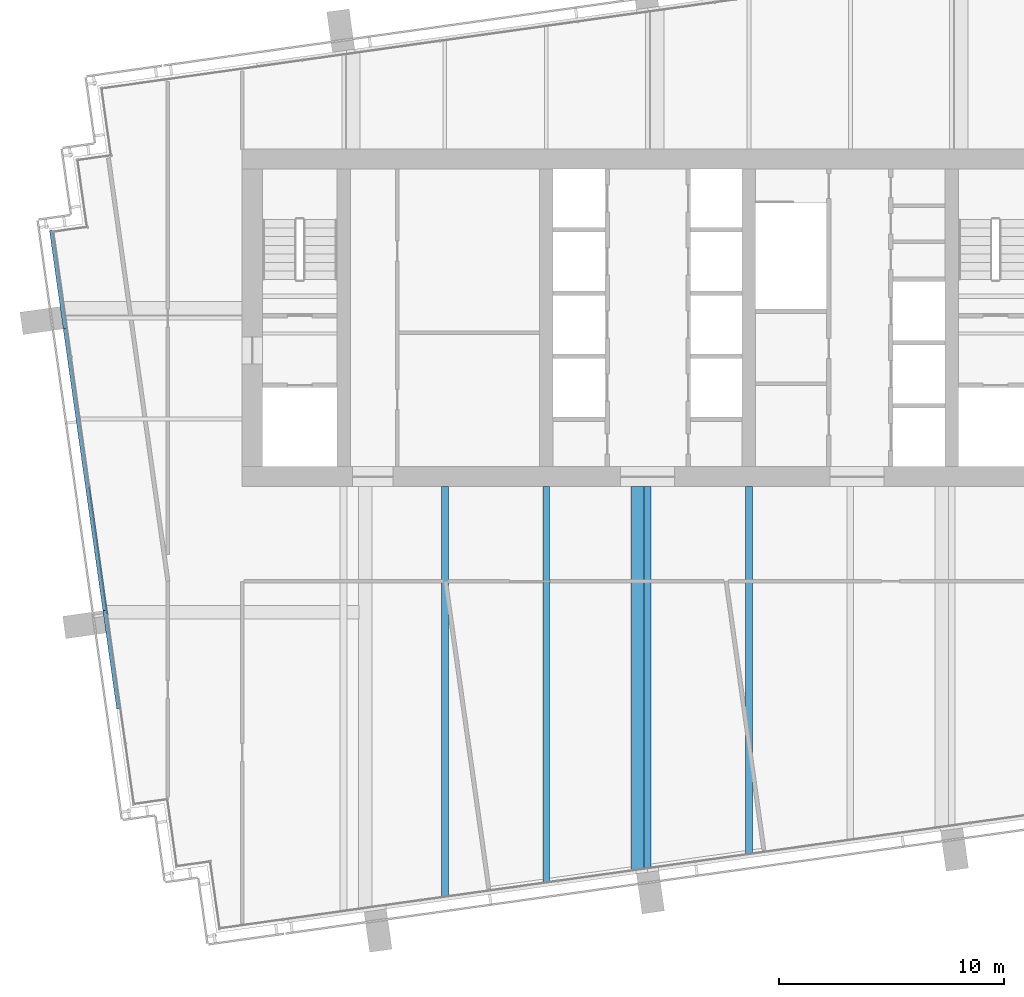
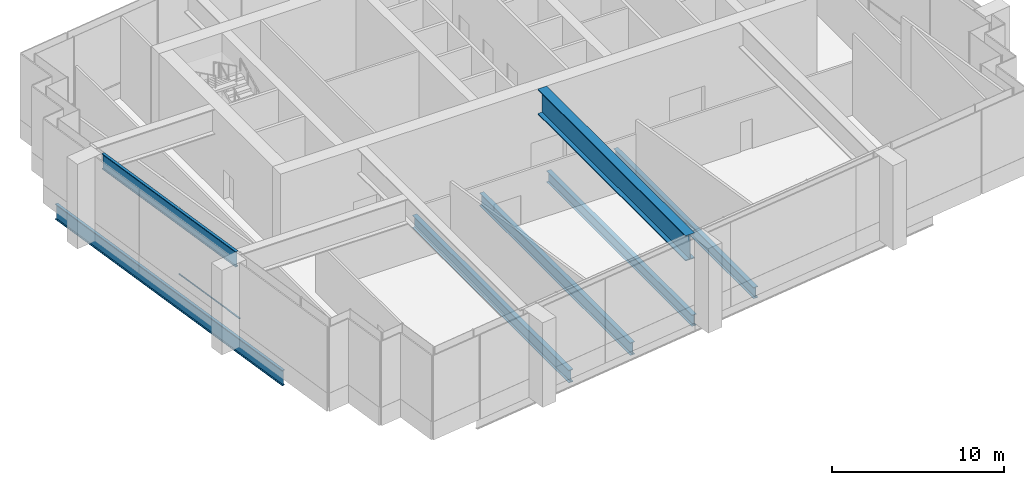
# One storey, part 4 of 25: 7 beams, 1 member, 1 element without a shape of its own.
"""IFC4 building model written with IfcOpenShell, lengths in metres."""

from ifc_helpers import new_model, si_unit, direction, frame, origin, origin_2d, place, context, subcontext, project, spatial, rectangle, i_section, extrude, material, layer, layer_set, material_profile, profile_set, type_object, element, aggregate, save


model = new_model("IFC4")

# Units and contexts
model_context = context("Model", 3, precision=1e-05, world=origin(), true_north=direction((0.0, 1.0)))
body_context = subcontext(model_context, "Body", "Model", "MODEL_VIEW")
ifc_project = project(units=[si_unit("LENGTHUNIT", "METRE"), si_unit("AREAUNIT", "SQUARE_METRE"), si_unit("VOLUMEUNIT", "CUBIC_METRE"), si_unit("PLANEANGLEUNIT", "RADIAN"), si_unit("MASSUNIT", "GRAM", prefix="KILO")], contexts=[model_context])

# Site, building, storey
site_placement = place(None, origin())
site = spatial("IfcSite", under=ifc_project, at=site_placement, CompositionType="ELEMENT")
building_placement = place(site_placement, origin())
building = spatial("IfcBuilding", under=site, at=building_placement, Name="Rattan Terrace Tower", CompositionType="ELEMENT")
storey_placement = place(building_placement, frame((0.0, 0.0, 286.300048828125)))
storey = spatial("IfcBuildingStorey", under=building, at=storey_placement, Name="L66", CompositionType="ELEMENT", Elevation=286.300048828125)

# Beams
ifc_material_1 = material(Name="Steel S460", Category="steel")
ifc_material_profile_1 = material_profile(ifc_material_1, i_section(OverallWidth=0.179931640625, OverallDepth=1.10009765625, WebThickness=0.01611328125, FlangeThickness=0.050048828125, at=origin_2d()), Name="PG 1100x180-16-50")
ifc_profile_set_1 = profile_set([ifc_material_profile_1], Name="Steel S460")
beam_type_1 = type_object("IfcBeamType", Name="Frame edge girder PG 1100x180-16-50", PredefinedType="SPANDREL", material=ifc_profile_set_1)
beam_1_placement = place(storey_placement, frame((-23.485107421875, -17.347900390625, -0.75), z_axis=(-0.139189723544, 0.990265732448, 0.0), x_axis=(-0.990265732448, -0.139189723544, 0.0)))
element("IfcBeam", 1, at=beam_1_placement, inside=storey, type_object=beam_type_1, Name="gdr-L66-003", PredefinedType="SPANDREL", context=body_context, shape_type="SweptSolid", body=[
    extrude(i_section(OverallWidth=0.179931640625, OverallDepth=1.10009765625, WebThickness=0.01611328125, FlangeThickness=0.050048828125, at=origin_2d()), origin(), (0.0, 0.0, 1.0), 21.430419921875),
])
ifc_material_2 = material(Name="Steel S355", Category="steel")
ifc_material_profile_2 = material_profile(ifc_material_2, i_section(OverallWidth=0.300048828125, OverallDepth=0.800048828125, WebThickness=0.017578125, FlangeThickness=0.032958984375, FilletRadius=0.030029296875, at=origin_2d()), Name="HE 800 B")
ifc_profile_set_2 = profile_set([ifc_material_profile_2], Name="Steel S355")
beam_type_2 = type_object("IfcBeamType", Name="Frame floor beam HE 800 B", PredefinedType="JOIST", material=ifc_profile_set_2)
beam_2_placement = place(storey_placement, frame((0.0, -24.4140625, -0.60009765625), z_axis=(0.0, 1.0, 0.0), x_axis=(-1.0, 0.0, 0.0)))
element("IfcBeam", 2, at=beam_2_placement, inside=storey, type_object=beam_type_2, Name="bm-L66-006", PredefinedType="JOIST", context=body_context, shape_type="SweptSolid", body=[
    extrude(i_section(OverallWidth=0.300048828125, OverallDepth=0.800048828125, WebThickness=0.017578125, FlangeThickness=0.032958984375, FilletRadius=0.030029296875, at=origin_2d()), origin(), (0.0, 0.0, 1.0), 16.9140625),
])
beam_3_placement = place(storey_placement, frame((4.5, -23.781982421875, -0.60009765625), z_axis=(0.0, 1.0, 0.0), x_axis=(-1.0, 0.0, 0.0)))
element("IfcBeam", 3, at=beam_3_placement, inside=storey, type_object=beam_type_2, Name="bm-L66-007", PredefinedType="JOIST", context=body_context, shape_type="SweptSolid", body=[
    extrude(i_section(OverallWidth=0.300048828125, OverallDepth=0.800048828125, WebThickness=0.017578125, FlangeThickness=0.032958984375, FilletRadius=0.030029296875, at=origin_2d()), origin(), (0.0, 0.0, 1.0), 16.281982421875),
])
ifc_material_3 = material(Name="Steel S355", Category="steel")
ifc_material_profile_3 = material_profile(ifc_material_3, i_section(OverallWidth=0.300048828125, OverallDepth=0.89990234375, WebThickness=0.0185546875, FlangeThickness=0.034912109375, FilletRadius=0.030029296875, at=origin_2d()), Name="HE 900 B")
ifc_profile_set_3 = profile_set([ifc_material_profile_3], Name="Steel S355")
beam_type_3 = type_object("IfcBeamType", Name="Frame floor beam HE 900 B", PredefinedType="JOIST", material=ifc_profile_set_3)
beam_4_placement = place(storey_placement, frame((-9.0, -25.678955078125, -0.650146484375), z_axis=(0.0, 1.0, 0.0), x_axis=(-1.0, 0.0, 0.0)))
element("IfcBeam", 4, at=beam_4_placement, inside=storey, type_object=beam_type_3, Name="bm-L66-004", PredefinedType="JOIST", context=body_context, shape_type="SweptSolid", body=[
    extrude(i_section(OverallWidth=0.300048828125, OverallDepth=0.89990234375, WebThickness=0.0185546875, FlangeThickness=0.034912109375, FilletRadius=0.030029296875, at=origin_2d()), origin(), (0.0, 0.0, 1.0), 18.178955078125),
])
beam_5_placement = place(storey_placement, frame((-4.5, -25.047119140625, -0.650146484375), z_axis=(0.0, 1.0, 0.0), x_axis=(-1.0, 0.0, 0.0)))
element("IfcBeam", 5, at=beam_5_placement, inside=storey, type_object=beam_type_3, Name="bm-L66-005", PredefinedType="JOIST", context=body_context, shape_type="SweptSolid", body=[
    extrude(i_section(OverallWidth=0.300048828125, OverallDepth=0.89990234375, WebThickness=0.0185546875, FlangeThickness=0.034912109375, FilletRadius=0.030029296875, at=origin_2d()), origin(), (0.0, 0.0, 1.0), 17.547119140625),
])
ifc_material_4 = material(Name="Steel S460", Category="steel")
ifc_material_profile_4 = material_profile(ifc_material_4, i_section(OverallWidth=0.179931640625, OverallDepth=1.10009765625, WebThickness=0.01611328125, FlangeThickness=0.050048828125, at=origin_2d()), Name="PG 1100x180-16-50")
ifc_profile_set_4 = profile_set([ifc_material_profile_4], Name="Steel S460")
beam_type_4 = type_object("IfcBeamType", Name="Frame transfer girder PG 1100x180-16-50", PredefinedType="USERDEFINED", material=ifc_profile_set_4)
beam_6_placement = place(storey_placement, frame((-25.85595703125, -0.48291015625, 5.25), z_axis=(0.139250981731, -0.99025712019, 0.0), x_axis=(0.99025712019, 0.139250981731, 0.0)))
element("IfcBeam", 6, at=beam_6_placement, inside=storey, type_object=beam_type_4, Name="trf-L66-004", ObjectType="TRANSFER GIRDER", PredefinedType="USERDEFINED", context=body_context, shape_type="SweptSolid", body=[
    extrude(i_section(OverallWidth=0.179931640625, OverallDepth=1.10009765625, WebThickness=0.01611328125, FlangeThickness=0.050048828125, at=origin_2d()), origin(), (0.0, 0.0, 1.0), 12.632080078125),
])
ifc_material_5 = material(Name="Steel S460", Category="steel")
ifc_material_profile_5 = material_profile(ifc_material_5, i_section(OverallWidth=0.60009765625, OverallDepth=1.800048828125, WebThickness=0.0400390625, FlangeThickness=0.070068359375, at=origin_2d()), Name="PG 1800x600-40-70")
ifc_profile_set_5 = profile_set([ifc_material_profile_5], Name="Steel S460")
beam_type_5 = type_object("IfcBeamType", Name="Frame transfer girder PG 1800x600-40-70", PredefinedType="USERDEFINED", material=ifc_profile_set_5)
beam_7_placement = place(storey_placement, frame((-0.429931640625, -24.677001953125, 4.89990234375), z_axis=(0.0, 1.0, 0.0), x_axis=(-1.0, 0.0, 0.0)))
element("IfcBeam", 7, at=beam_7_placement, inside=storey, type_object=beam_type_5, Name="trf-L66-010", ObjectType="TRANSFER GIRDER", PredefinedType="USERDEFINED", context=body_context, shape_type="SweptSolid", body=[
    extrude(i_section(OverallWidth=0.60009765625, OverallDepth=1.800048828125, WebThickness=0.0400390625, FlangeThickness=0.070068359375, at=origin_2d()), origin(), (0.0, 0.0, 1.0), 17.177001953125),
])

# Curtain wall, member
ifc_material_6 = material(Name="Aluminium and structural silicone glass", Category="aluminium")
ifc_layer = layer(ifc_material_6, 0.10009765625)
ifc_layer_set = layer_set([ifc_layer], Name="Observation Structural Silicone Curtain Wall")
curtain_wall_type = type_object("IfcCurtainWallType", Name="Observation Structural Silicone Curtain Wall", PredefinedType="NOTDEFINED", material=ifc_layer_set)
curtain_wall_placement = place(storey_placement, origin())
curtain_wall = element("IfcCurtainWall", 8, at=curtain_wall_placement, inside=storey, type_object=curtain_wall_type, Name="Observation curtain wall L66-18", PredefinedType="NOTDEFINED")
ifc_material_7 = material(Name="Aluminium", Category="aluminium")
ifc_material_profile_6 = material_profile(ifc_material_7, rectangle(XDim=0.06005859375, YDim=0.050048828125, at=origin_2d()), Name="Aluminium 60x50")
ifc_profile_set_6 = profile_set([ifc_material_profile_6], Name="Aluminium")
member_type = type_object("IfcMemberType", Name="Observation CW Transom 60x50", PredefinedType="USERDEFINED", material=ifc_profile_set_6)
member_placement = place(storey_placement, frame((-24.791259765625, -7.4755859375, 1.099853515625), z_axis=(0.139175296196, -0.990267760219, 0.0), x_axis=(0.990267760219, 0.139175296196, 0.0)))
member = element("IfcMember", 9, at=member_placement, type_object=member_type, Name="Transom cwl-L66-018.3", ObjectType="TRANSOM", PredefinedType="USERDEFINED", context=body_context, shape_type="SweptSolid", body=[
    extrude(rectangle(XDim=0.06005859375, YDim=0.050048828125, at=origin_2d()), origin(), (0.0, 0.0, 1.0), 5.738037109375),
])
aggregate(curtain_wall, [member])

save(model, "model.ifc")
